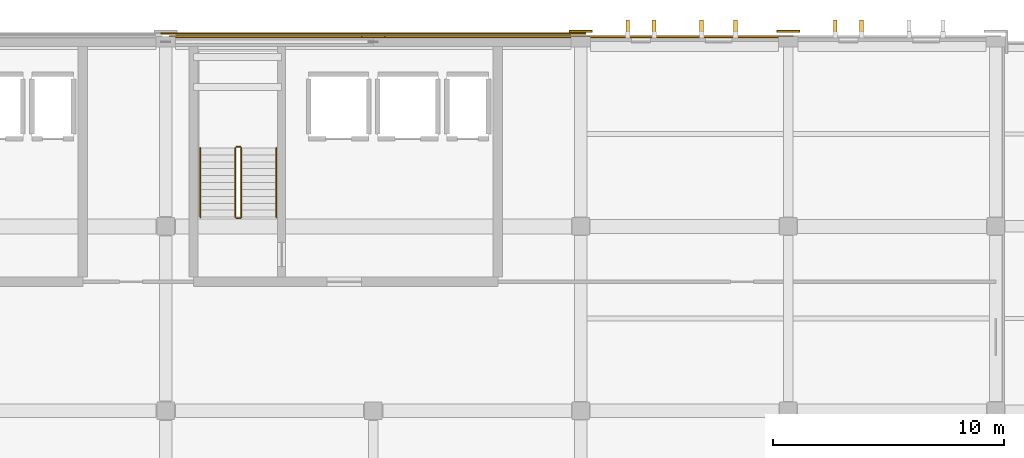
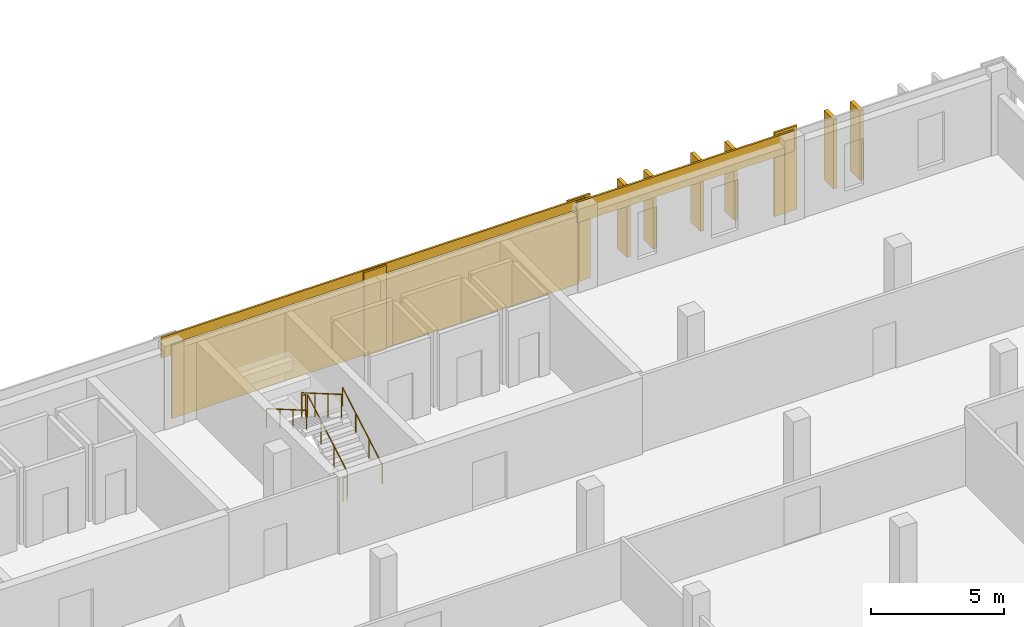
# One storey, part 61 of 64: 8 coverings, 6 railings, 6 shading devices.
"""IFC4 building model written with IfcOpenShell, lengths in metres."""

from ifc_helpers import new_model, si_unit, direction, frame, origin, origin_2d, place, context, subcontext, project, spatial, rectangle, circle, extrude, material, layer, layer_set, type_object, element, save


model = new_model("IFC4")

# Units and contexts
model_context = context("Model", 3, precision=1e-05, world=origin(), true_north=direction((0.0, 1.0)))
body_context = subcontext(model_context, "Body", "Model", "MODEL_VIEW")
ifc_project = project(units=[si_unit("LENGTHUNIT", "METRE"), si_unit("AREAUNIT", "SQUARE_METRE"), si_unit("VOLUMEUNIT", "CUBIC_METRE"), si_unit("PLANEANGLEUNIT", "RADIAN"), si_unit("MASSUNIT", "GRAM", prefix="KILO")], contexts=[model_context])

# Site, building, storey
site_placement = place(None, origin())
site = spatial("IfcSite", under=ifc_project, at=site_placement, CompositionType="ELEMENT")
building_placement = place(site_placement, origin())
building = spatial("IfcBuilding", under=site, at=building_placement, Name="Vervanel Yard Central Library", CompositionType="ELEMENT")
storey_placement = place(building_placement, frame((0.0, 0.0, 8.93994140625)))
storey = spatial("IfcBuildingStorey", under=building, at=storey_placement, Name="L02", CompositionType="ELEMENT", Elevation=8.93994140625)

# Railings
ifc_material_1 = material(Name="Brushed stainless steel AISI 316", Category="steel")
railing_type_1 = type_object("IfcRailingType", Name="Brushed Stainless Stair Handrail 900", PredefinedType="HANDRAIL", material=ifc_material_1)
railing_1_placement = place(storey_placement, frame((67.800048828125, 106.39990234375, 0.174560546875)))
element("IfcRailing", 1, at=railing_1_placement, inside=storey, type_object=railing_type_1, Name="L02 ST-02 stair handrail 1", PredefinedType="HANDRAIL", context=body_context, shape_type="SweptSolid", body=[
    extrude(circle(Radius=0.02392578125, at=origin_2d()), frame((0.0, 0.0, 0.8759765625), z_axis=(0.0, 0.864329436341, 0.502926063626), x_axis=(-1.0, 0.0, 0.0)), (0.0, 0.0, 1.0), 3.470947265625),
    extrude(circle(Radius=0.02099609375, at=origin_2d()), origin(), (0.0, 0.0, 1.0), 0.851806640625),
    extrude(circle(Radius=0.02099609375, at=origin_2d()), frame((0.0, 1.0, 0.581787109375)), (0.0, 0.0, 1.0), 0.851806640625),
    extrude(circle(Radius=0.02099609375, at=origin_2d()), frame((0.0, 2.0, 1.163818359375)), (0.0, 0.0, 1.0), 0.851806640625),
    extrude(circle(Radius=0.02099609375, at=origin_2d()), frame((0.0, 3.0, 1.74560546875)), (0.0, 0.0, 1.0), 0.851806640625),
])
railing_2_placement = place(storey_placement, frame((64.5, 109.39990234375, 2.094482421875)))
element("IfcRailing", 2, at=railing_2_placement, inside=storey, type_object=railing_type_1, Name="L02 ST-02 stair handrail 2", PredefinedType="HANDRAIL", context=body_context, shape_type="SweptSolid", body=[
    extrude(circle(Radius=0.02392578125, at=origin_2d()), frame((0.0, 0.0, 0.8759765625), z_axis=(0.0, -0.864329436341, 0.502926063626), x_axis=(1.0, 0.0, 0.0)), (0.0, 0.0, 1.0), 3.470947265625),
    extrude(circle(Radius=0.02099609375, at=origin_2d()), origin(), (0.0, 0.0, 1.0), 0.851806640625),
    extrude(circle(Radius=0.02099609375, at=origin_2d()), frame((0.0, -1.0, 0.581787109375)), (0.0, 0.0, 1.0), 0.851806640625),
    extrude(circle(Radius=0.02099609375, at=origin_2d()), frame((0.0, -2.0, 1.163818359375)), (0.0, 0.0, 1.0), 0.851806640625),
    extrude(circle(Radius=0.02099609375, at=origin_2d()), frame((0.0, -3.0, 1.74560546875)), (0.0, 0.0, 1.0), 0.851806640625),
])

# Coverings
ifc_material_2 = material(Name="Precast concrete C45/55", Category="concrete")
ifc_layer = layer(ifc_material_2, 0.0849609375, Category="concrete")
ifc_layer_set = layer_set([ifc_layer], Name="Precast concrete C45/55")
covering_type = type_object("IfcCoveringType", Name="Bush-Hammered Precast Architectural Cladding Panel", PredefinedType="CLADDING", material=ifc_layer_set)
covering_1_placement = place(storey_placement, frame((67.5, 114.364990234375, 2.91015625), z_axis=(0.0, 0.0, 1.0), x_axis=(1.0, 0.0, 0.0)))
element("IfcCovering", 3, at=covering_1_placement, inside=storey, type_object=covering_type, Name="L02 Precast Concrete Spandrel Cornice EWALL-L02-0035", PredefinedType="CLADDING", context=body_context, shape_type="SweptSolid", body=[
    extrude(rectangle(XDim=9.449951171875, YDim=0.0849609375, at=origin_2d()), origin(), (0.0, 0.0, 1.0), 0.949951171875),
])
covering_2_placement = place(storey_placement, frame((72.0, 114.232421875, 0.0), z_axis=(0.0, 0.0, 1.0), x_axis=(1.0, 0.0, 0.0)))
element("IfcCovering", 4, at=covering_2_placement, inside=storey, type_object=covering_type, Name="L02 Precast Concrete Pier Pilaster EWALL-L02-0035-B", PredefinedType="CLADDING", context=body_context, shape_type="SweptSolid", body=[
    extrude(rectangle(XDim=0.97998046875, YDim=0.0849609375, at=origin_2d()), origin(), (0.0, 0.0, 1.0), 3.860107421875),
])
covering_3_placement = place(storey_placement, frame((67.5, 114.232421875, 0.080078125), z_axis=(0.0, 0.0, 1.0), x_axis=(1.0, 0.0, 0.0)))
element("IfcCovering", 5, at=covering_3_placement, inside=storey, type_object=covering_type, Name="L02 Bush-Hammered Precast Cladding EWALL-L02-0035", PredefinedType="CLADDING", context=body_context, shape_type="SweptSolid", body=[
    extrude(rectangle(XDim=8.699951171875, YDim=0.0849609375, at=origin_2d()), origin(), (0.0, 0.0, 1.0), 3.3701171875),
])
covering_4_placement = place(storey_placement, frame((76.5, 114.364990234375, 2.91015625), z_axis=(0.0, 0.0, 1.0), x_axis=(1.0, 0.0, 0.0)))
element("IfcCovering", 6, at=covering_4_placement, inside=storey, type_object=covering_type, Name="L02 Precast Concrete Spandrel Cornice EWALL-L02-0036", PredefinedType="CLADDING", context=body_context, shape_type="SweptSolid", body=[
    extrude(rectangle(XDim=9.449951171875, YDim=0.0849609375, at=origin_2d()), origin(), (0.0, 0.0, 1.0), 0.949951171875),
])
covering_5_placement = place(storey_placement, frame((81.0, 114.467529296875, 0.0), z_axis=(0.0, 0.0, 1.0), x_axis=(1.0, 0.0, 0.0)))
element("IfcCovering", 7, at=covering_5_placement, inside=storey, type_object=covering_type, Name="L02 Precast Concrete Pier Pilaster EWALL-L02-0036-B", PredefinedType="CLADDING", context=body_context, shape_type="SweptSolid", body=[
    extrude(rectangle(XDim=0.97998046875, YDim=0.0849609375, at=origin_2d()), origin(), (0.0, 0.0, 1.0), 3.860107421875),
])
covering_6_placement = place(storey_placement, frame((76.5, 114.232421875, 0.080078125), z_axis=(0.0, 0.0, 1.0), x_axis=(1.0, 0.0, 0.0)))
element("IfcCovering", 8, at=covering_6_placement, inside=storey, type_object=covering_type, Name="L02 Bush-Hammered Precast Cladding EWALL-L02-0036", PredefinedType="CLADDING", context=body_context, shape_type="SweptSolid", body=[
    extrude(rectangle(XDim=8.699951171875, YDim=0.0849609375, at=origin_2d()), origin(), (0.0, 0.0, 1.0), 3.3701171875),
])
covering_7_placement = place(storey_placement, frame((85.5, 114.22998046875, 2.91015625), z_axis=(0.0, 0.0, 1.0), x_axis=(1.0, 0.0, 0.0)))
element("IfcCovering", 9, at=covering_7_placement, inside=storey, type_object=covering_type, Name="L02 Precast Concrete Spandrel Cornice EWALL-L02-0037", PredefinedType="CLADDING", context=body_context, shape_type="SweptSolid", body=[
    extrude(rectangle(XDim=9.449951171875, YDim=0.0849609375, at=origin_2d()), origin(), (0.0, 0.0, 1.0), 0.949951171875),
])
covering_8_placement = place(storey_placement, frame((90.0, 114.467529296875, 0.0), z_axis=(0.0, 0.0, 1.0), x_axis=(1.0, 0.0, 0.0)))
element("IfcCovering", 10, at=covering_8_placement, inside=storey, type_object=covering_type, Name="L02 Precast Concrete Pier Pilaster EWALL-L02-0037-B", PredefinedType="CLADDING", context=body_context, shape_type="SweptSolid", body=[
    extrude(rectangle(XDim=0.97998046875, YDim=0.0849609375, at=origin_2d()), origin(), (0.0, 0.0, 1.0), 3.860107421875),
])

# Railings
ifc_material_3 = material(Name="Galvanized painted steelwork ASTM A500 Grade C", Category="steel")
railing_type_2 = type_object("IfcRailingType", Name="Painted Steel Guardrail 1100", PredefinedType="GUARDRAIL", material=ifc_material_3)
railing_3_placement = place(storey_placement, frame((66.280029296875, 106.39990234375, 0.174560546875)))
element("IfcRailing", 11, at=railing_3_placement, inside=storey, type_object=railing_type_2, Name="L02 ST-02 stair guard 1", PredefinedType="GUARDRAIL", context=body_context, shape_type="SweptSolid", body=[
    extrude(circle(Radius=0.02392578125, at=origin_2d()), frame((0.0, 0.0, 1.076171875), z_axis=(0.0, 0.864329436341, 0.502926063626), x_axis=(-1.0, 0.0, 0.0)), (0.0, 0.0, 1.0), 3.470947265625),
    extrude(circle(Radius=0.02099609375, at=origin_2d()), origin(), (0.0, 0.0, 1.0), 1.052001953125),
    extrude(circle(Radius=0.02099609375, at=origin_2d()), frame((0.0, 1.0, 0.581787109375)), (0.0, 0.0, 1.0), 1.052001953125),
    extrude(circle(Radius=0.02099609375, at=origin_2d()), frame((0.0, 2.0, 1.163818359375)), (0.0, 0.0, 1.0), 1.052001953125),
    extrude(circle(Radius=0.02099609375, at=origin_2d()), frame((0.0, 3.0, 1.74560546875)), (0.0, 0.0, 1.0), 1.052001953125),
])
railing_4_placement = place(storey_placement, frame((66.22998046875, 109.449951171875, 1.920166015625)))
element("IfcRailing", 12, at=railing_4_placement, inside=storey, type_object=railing_type_2, Name="L02 ST-02 stair guard 2", PredefinedType="GUARDRAIL", context=body_context, shape_type="SweptSolid", body=[
    extrude(circle(Radius=0.02392578125, at=origin_2d()), frame((0.0, 0.0, 1.076171875), z_axis=(-1.0, 0.0, 0.0), x_axis=(0.0, -1.0, 0.0)), (0.0, 0.0, 1.0), 0.159912109375),
    extrude(circle(Radius=0.02099609375, at=origin_2d()), origin(), (0.0, 0.0, 1.0), 1.052001953125),
    extrude(circle(Radius=0.02099609375, at=origin_2d()), frame((-0.159912109375, 0.0, 0.0)), (0.0, 0.0, 1.0), 1.052001953125),
])
railing_5_placement = place(storey_placement, frame((66.02001953125, 109.39990234375, 2.094482421875)))
element("IfcRailing", 13, at=railing_5_placement, inside=storey, type_object=railing_type_2, Name="L02 ST-02 stair guard 3", PredefinedType="GUARDRAIL", context=body_context, shape_type="SweptSolid", body=[
    extrude(circle(Radius=0.02392578125, at=origin_2d()), frame((0.0, 0.0, 1.076171875), z_axis=(0.0, -0.864329436341, 0.502926063626), x_axis=(1.0, 0.0, 0.0)), (0.0, 0.0, 1.0), 3.470947265625),
    extrude(circle(Radius=0.02099609375, at=origin_2d()), origin(), (0.0, 0.0, 1.0), 1.052001953125),
    extrude(circle(Radius=0.02099609375, at=origin_2d()), frame((0.0, -1.0, 0.581787109375)), (0.0, 0.0, 1.0), 1.052001953125),
    extrude(circle(Radius=0.02099609375, at=origin_2d()), frame((0.0, -2.0, 1.163818359375)), (0.0, 0.0, 1.0), 1.052001953125),
    extrude(circle(Radius=0.02099609375, at=origin_2d()), frame((0.0, -3.0, 1.74560546875)), (0.0, 0.0, 1.0), 1.052001953125),
])
railing_6_placement = place(storey_placement, frame((66.22998046875, 106.35009765625, 0.0)))
element("IfcRailing", 14, at=railing_6_placement, inside=storey, type_object=railing_type_2, Name="L02 ST-02 stair guard 4", PredefinedType="GUARDRAIL", context=body_context, shape_type="SweptSolid", body=[
    extrude(circle(Radius=0.02392578125, at=origin_2d()), frame((0.0, 0.0, 1.076171875), z_axis=(-1.0, 0.0, 0.0), x_axis=(0.0, -1.0, 0.0)), (0.0, 0.0, 1.0), 0.159912109375),
    extrude(circle(Radius=0.02099609375, at=origin_2d()), origin(), (0.0, 0.0, 1.0), 1.052001953125),
    extrude(circle(Radius=0.02099609375, at=origin_2d()), frame((-0.159912109375, 0.0, 0.0)), (0.0, 0.0, 1.0), 1.052001953125),
])

# Shading devices
shading_device_type = type_object("IfcShadingDeviceType", Name="Vertical Precast Solar Fin 160x720x3200", PredefinedType="JALOUSIE", material=ifc_material_2)
for number, where, z_axis, x_axis, name in (
    (15, (83.0400390625, 114.590087890625, 0.52490234375), (0.0, 0.0, 1.0), (1.0, 0.0, 0.0), "L02 Precast Solar Fin 96"),
    (16, (84.179931640625, 114.590087890625, 0.52490234375), (0.0, 0.0, 1.0), (1.0, 0.0, 0.0), "L02 Precast Solar Fin 97"),
    (17, (86.239990234375, 114.590087890625, 0.60009765625), (0.0, 0.0, 1.0), (1.0, 0.0, 0.0), "L02 Precast Solar Fin 98"),
    (18, (87.7099609375, 114.590087890625, 0.60009765625), (0.0, 0.0, 1.0), (1.0, 0.0, 0.0), "L02 Precast Solar Fin 99"),
    (19, (92.0400390625, 114.590087890625, 0.52490234375), (0.0, 0.0, 1.0), (1.0, 0.0, 0.0), "L02 Precast Solar Fin 100"),
    (20, (93.179931640625, 114.590087890625, 0.52490234375), (0.0, 0.0, 1.0), (1.0, 0.0, 0.0), "L02 Precast Solar Fin 101"),
):
    element("IfcShadingDevice", number, at=place(storey_placement, frame(where, z_axis=z_axis, x_axis=x_axis)), inside=storey, type_object=shading_device_type, Name=name, PredefinedType="JALOUSIE", context=body_context, shape_type="SweptSolid", body=[
        extrude(rectangle(XDim=0.159912109375, YDim=0.719970703125, at=origin_2d()), origin(), (0.0, 0.0, 1.0), 3.199951171875),
    ])

save(model, "model.ifc")
